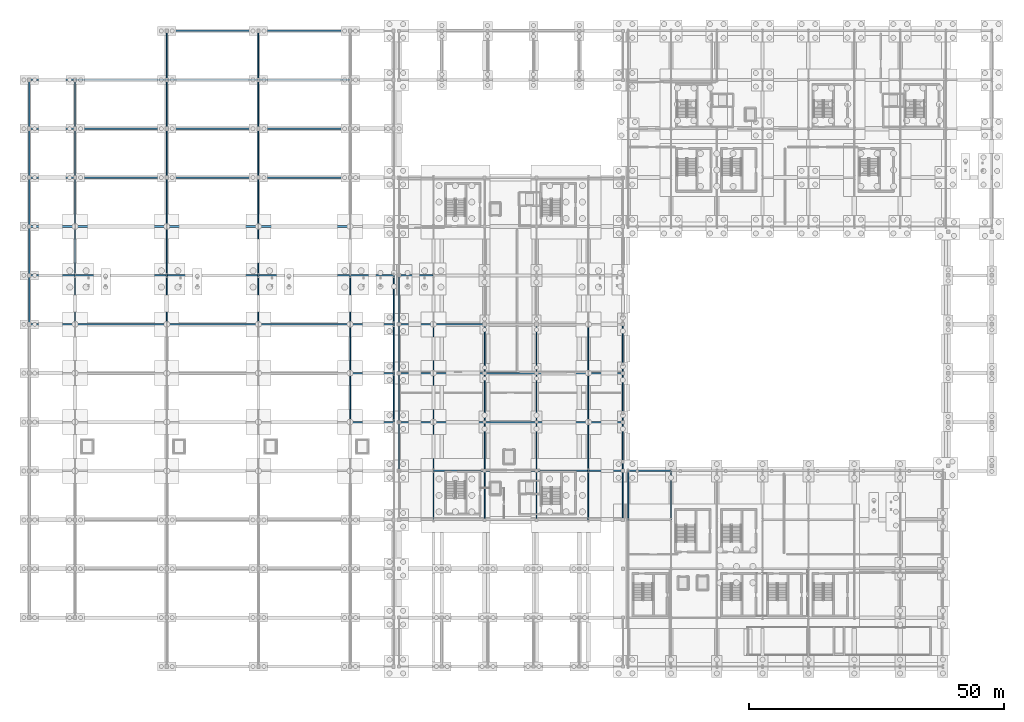
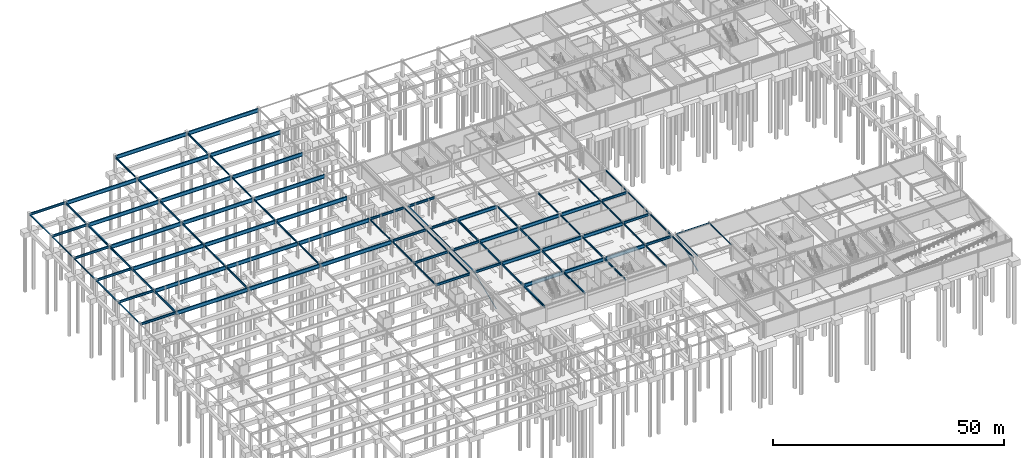
# One storey, part 31 of 59: 101 beams, 2 members.
"""IFC4 building model written with IfcOpenShell, lengths in metres."""

from ifc_helpers import new_model, si_unit, direction, frame, origin, origin_2d, place, context, subcontext, project, spatial, hollow_rectangle, hollow_circle, i_section, extrude, material, material_profile, profile_set, type_object, element, save


model = new_model("IFC4")

# Units and contexts
model_context = context("Model", 3, precision=1e-05, world=origin(), true_north=direction((0.0, 1.0)))
body_context = subcontext(model_context, "Body", "Model", "MODEL_VIEW")
ifc_project = project(units=[si_unit("LENGTHUNIT", "METRE"), si_unit("AREAUNIT", "SQUARE_METRE"), si_unit("VOLUMEUNIT", "CUBIC_METRE"), si_unit("PLANEANGLEUNIT", "RADIAN"), si_unit("MASSUNIT", "GRAM", prefix="KILO")], contexts=[model_context])

# Site, building, storey
site_placement = place(None, origin())
site = spatial("IfcSite", under=ifc_project, at=site_placement, CompositionType="ELEMENT")
building_placement = place(site_placement, origin())
building = spatial("IfcBuilding", under=site, at=building_placement, Name="Myrtia Square Station", CompositionType="ELEMENT")
storey_placement = place(building_placement, frame((0.0, 0.0, -4.5)))
storey = spatial("IfcBuildingStorey", under=building, at=storey_placement, Name="B01", CompositionType="ELEMENT", Elevation=-4.5)

# Beams
ifc_material = material(Name="Steel S355", Category="steel")
ifc_material_profile_1 = material_profile(ifc_material, i_section(OverallWidth=0.300048828125, OverallDepth=0.60009765625, WebThickness=0.015380859375, FlangeThickness=0.030029296875, FilletRadius=0.027099609375, at=origin_2d()), Name="HEB 600")
ifc_profile_set_1 = profile_set([ifc_material_profile_1], Name="Steel S355")
beam_type_1 = type_object("IfcBeamType", Name="BM-HEB600", PredefinedType="BEAM", material=ifc_profile_set_1)
for number, where, z_axis, x_axis, name in (
    (1, (63.050048828125, 48.0, 3.89990234375), (1.0, 0.0, 0.0), (0.0, 1.0, 0.0), "Structural girder BMX-B01-0010"),
    (2, (63.050048828125, 57.60009765625, 3.89990234375), (1.0, 0.0, 0.0), (0.0, 1.0, 0.0), "Structural girder BMX-B01-0012"),
):
    element("IfcBeam", number, at=place(storey_placement, frame(where, z_axis=z_axis, x_axis=x_axis)), inside=storey, type_object=beam_type_1, Name=name, PredefinedType="BEAM", context=body_context, shape_type="SweptSolid", body=[
        extrude(i_section(OverallWidth=0.300048828125, OverallDepth=0.60009765625, WebThickness=0.015380859375, FlangeThickness=0.030029296875, FilletRadius=0.027099609375, at=origin_2d()), origin(), (0.0, 0.0, 1.0), 8.449951171875),
    ])
beam_1_placement = place(storey_placement, frame((0.050048828125, 67.199951171875, 3.89990234375), z_axis=(1.0, 0.0, 0.0), x_axis=(0.0, 1.0, 0.0)))
element("IfcBeam", 3, at=beam_1_placement, inside=storey, type_object=beam_type_1, Name="Structural girder BMX-B01-0013", PredefinedType="BEAM", context=body_context, shape_type="SweptSolid", body=[
    extrude(i_section(OverallWidth=0.300048828125, OverallDepth=0.60009765625, WebThickness=0.015380859375, FlangeThickness=0.030029296875, FilletRadius=0.027099609375, at=origin_2d()), origin(), (0.0, 0.0, 1.0), 8.89990234375),
])
beam_2_placement = place(storey_placement, frame((63.050048828125, 67.199951171875, 3.89990234375), z_axis=(1.0, 0.0, 0.0), x_axis=(0.0, 1.0, 0.0)))
element("IfcBeam", 4, at=beam_2_placement, inside=storey, type_object=beam_type_1, Name="Structural girder BMX-B01-0014", PredefinedType="BEAM", context=body_context, shape_type="SweptSolid", body=[
    extrude(i_section(OverallWidth=0.300048828125, OverallDepth=0.60009765625, WebThickness=0.015380859375, FlangeThickness=0.030029296875, FilletRadius=0.027099609375, at=origin_2d()), origin(), (0.0, 0.0, 1.0), 8.449951171875),
])
beam_3_placement = place(storey_placement, frame((0.050048828125, 76.800048828125, 3.89990234375), z_axis=(1.0, 0.0, 0.0), x_axis=(0.0, 1.0, 0.0)))
element("IfcBeam", 5, at=beam_3_placement, inside=storey, type_object=beam_type_1, Name="Structural girder BMX-B01-0015", PredefinedType="BEAM", context=body_context, shape_type="SweptSolid", body=[
    extrude(i_section(OverallWidth=0.300048828125, OverallDepth=0.60009765625, WebThickness=0.015380859375, FlangeThickness=0.030029296875, FilletRadius=0.027099609375, at=origin_2d()), origin(), (0.0, 0.0, 1.0), 8.89990234375),
])
beam_4_placement = place(storey_placement, frame((63.050048828125, 76.800048828125, 3.89990234375), z_axis=(1.0, 0.0, 0.0), x_axis=(0.0, 1.0, 0.0)))
element("IfcBeam", 6, at=beam_4_placement, inside=storey, type_object=beam_type_1, Name="Structural girder BMX-B01-0016", PredefinedType="BEAM", context=body_context, shape_type="SweptSolid", body=[
    extrude(i_section(OverallWidth=0.300048828125, OverallDepth=0.60009765625, WebThickness=0.015380859375, FlangeThickness=0.030029296875, FilletRadius=0.027099609375, at=origin_2d()), origin(), (0.0, 0.0, 1.0), 8.449951171875),
])
for number, where, z_axis, x_axis, name in (
    (7, (0.050048828125, 86.39990234375, 3.89990234375), (1.0, 0.0, 0.0), (0.0, 1.0, 0.0), "Structural girder BMX-B01-0017"),
    (8, (0.050048828125, 96.0, 3.89990234375), (1.0, 0.0, 0.0), (0.0, 1.0, 0.0), "Structural girder BMX-B01-0019"),
    (9, (0.050048828125, 105.60009765625, 3.89990234375), (1.0, 0.0, 0.0), (0.0, 1.0, 0.0), "Structural girder BMX-B01-0021"),
    (10, (0.050048828125, 115.199951171875, 3.89990234375), (1.0, 0.0, 0.0), (0.0, 1.0, 0.0), "Structural girder BMX-B01-0023"),
):
    element("IfcBeam", number, at=place(storey_placement, frame(where, z_axis=z_axis, x_axis=x_axis)), inside=storey, type_object=beam_type_1, Name=name, PredefinedType="BEAM", context=body_context, shape_type="SweptSolid", body=[
        extrude(i_section(OverallWidth=0.300048828125, OverallDepth=0.60009765625, WebThickness=0.015380859375, FlangeThickness=0.030029296875, FilletRadius=0.027099609375, at=origin_2d()), origin(), (0.0, 0.0, 1.0), 8.89990234375),
    ])
beam_5_placement = place(storey_placement, frame((109.85009765625, 38.39990234375, 3.919921875), z_axis=(1.0, 0.0, 0.0), x_axis=(0.0, 1.0, 0.0)))
element("IfcBeam", 11, at=beam_5_placement, inside=storey, type_object=beam_type_1, Name="Structural girder BMX-B01-0089", PredefinedType="BEAM", context=body_context, shape_type="SweptSolid", body=[
    extrude(i_section(OverallWidth=0.300048828125, OverallDepth=0.60009765625, WebThickness=0.015380859375, FlangeThickness=0.030029296875, FilletRadius=0.027099609375, at=origin_2d()), origin(), (0.0, 0.0, 1.0), 6.64990234375),
])
beam_6_placement = place(storey_placement, frame((72.64990234375, 48.0, 3.919921875), z_axis=(1.0, 0.0, 0.0), x_axis=(0.0, 1.0, 0.0)))
element("IfcBeam", 12, at=beam_6_placement, inside=storey, type_object=beam_type_1, Name="Structural girder BMX-B01-0090", PredefinedType="BEAM", context=body_context, shape_type="SweptSolid", body=[
    extrude(i_section(OverallWidth=0.300048828125, OverallDepth=0.60009765625, WebThickness=0.015380859375, FlangeThickness=0.030029296875, FilletRadius=0.027099609375, at=origin_2d()), origin(), (0.0, 0.0, 1.0), 6.650146484375),
])
beam_7_placement = place(storey_placement, frame((109.85009765625, 48.0, 3.919921875), z_axis=(1.0, 0.0, 0.0), x_axis=(0.0, 1.0, 0.0)))
element("IfcBeam", 13, at=beam_7_placement, inside=storey, type_object=beam_type_1, Name="Structural girder BMX-B01-0091", PredefinedType="BEAM", context=body_context, shape_type="SweptSolid", body=[
    extrude(i_section(OverallWidth=0.300048828125, OverallDepth=0.60009765625, WebThickness=0.015380859375, FlangeThickness=0.030029296875, FilletRadius=0.027099609375, at=origin_2d()), origin(), (0.0, 0.0, 1.0), 6.64990234375),
])
beam_8_placement = place(storey_placement, frame((72.64990234375, 57.60009765625, 3.919921875), z_axis=(1.0, 0.0, 0.0), x_axis=(0.0, 1.0, 0.0)))
element("IfcBeam", 14, at=beam_8_placement, inside=storey, type_object=beam_type_1, Name="Structural girder BMX-B01-0092", PredefinedType="BEAM", context=body_context, shape_type="SweptSolid", body=[
    extrude(i_section(OverallWidth=0.300048828125, OverallDepth=0.60009765625, WebThickness=0.015380859375, FlangeThickness=0.030029296875, FilletRadius=0.027099609375, at=origin_2d()), origin(), (0.0, 0.0, 1.0), 6.650146484375),
])
beam_9_placement = place(storey_placement, frame((109.85009765625, 57.60009765625, 3.919921875), z_axis=(1.0, 0.0, 0.0), x_axis=(0.0, 1.0, 0.0)))
element("IfcBeam", 15, at=beam_9_placement, inside=storey, type_object=beam_type_1, Name="Structural girder BMX-B01-0093", PredefinedType="BEAM", context=body_context, shape_type="SweptSolid", body=[
    extrude(i_section(OverallWidth=0.300048828125, OverallDepth=0.60009765625, WebThickness=0.015380859375, FlangeThickness=0.030029296875, FilletRadius=0.027099609375, at=origin_2d()), origin(), (0.0, 0.0, 1.0), 6.64990234375),
])
for number, where, z_axis, x_axis, name in (
    (16, (72.64990234375, 67.199951171875, 3.919921875), (1.0, 0.0, 0.0), (0.0, 1.0, 0.0), "Structural girder BMX-B01-0094"),
    (17, (72.64990234375, 76.800048828125, 3.919921875), (1.0, 0.0, 0.0), (0.0, 1.0, 0.0), "Structural girder BMX-B01-0096"),
):
    element("IfcBeam", number, at=place(storey_placement, frame(where, z_axis=z_axis, x_axis=x_axis)), inside=storey, type_object=beam_type_1, Name=name, PredefinedType="BEAM", context=body_context, shape_type="SweptSolid", body=[
        extrude(i_section(OverallWidth=0.300048828125, OverallDepth=0.60009765625, WebThickness=0.015380859375, FlangeThickness=0.030029296875, FilletRadius=0.027099609375, at=origin_2d()), origin(), (0.0, 0.0, 1.0), 6.650146484375),
    ])
ifc_material_profile_2 = material_profile(ifc_material, i_section(OverallWidth=0.14990234375, OverallDepth=0.300048828125, WebThickness=0.007080078125, FlangeThickness=0.0107421875, FilletRadius=0.014892578125, at=origin_2d()), Name="IPE 300")
ifc_profile_set_2 = profile_set([ifc_material_profile_2], Name="Steel S355")
beam_type_2 = type_object("IfcBeamType", Name="BM-IPE300", PredefinedType="BEAM", material=ifc_profile_set_2)
beam_10_placement = place(storey_placement, frame((126.0, 28.85009765625, 4.080078125), z_axis=(0.0, 1.0, 0.0), x_axis=(-1.0, 0.0, 0.0)))
element("IfcBeam", 18, at=beam_10_placement, inside=storey, type_object=beam_type_2, Name="Structural girder BMY-B01-0170", PredefinedType="BEAM", context=body_context, shape_type="SweptSolid", body=[
    extrude(i_section(OverallWidth=0.14990234375, OverallDepth=0.300048828125, WebThickness=0.007080078125, FlangeThickness=0.0107421875, FilletRadius=0.014892578125, at=origin_2d()), origin(), (0.0, 0.0, 1.0), 9.5),
])
ifc_material_profile_3 = material_profile(ifc_material, i_section(OverallWidth=0.159912109375, OverallDepth=0.330078125, WebThickness=0.007568359375, FlangeThickness=0.011474609375, FilletRadius=0.01806640625, at=origin_2d()), Name="IPE 330")
ifc_profile_set_3 = profile_set([ifc_material_profile_3], Name="Steel S355")
beam_type_3 = type_object("IfcBeamType", Name="BM-IPE330", PredefinedType="BEAM", material=ifc_profile_set_3)
beam_11_placement = place(storey_placement, frame((117.60009765625, 28.85009765625, 4.06494140625), z_axis=(0.0, 1.0, 0.0), x_axis=(-1.0, 0.0, 0.0)))
element("IfcBeam", 19, at=beam_11_placement, inside=storey, type_object=beam_type_3, Name="Structural girder BMY-B01-0166", PredefinedType="BEAM", context=body_context, shape_type="SweptSolid", body=[
    extrude(i_section(OverallWidth=0.159912109375, OverallDepth=0.330078125, WebThickness=0.007568359375, FlangeThickness=0.011474609375, FilletRadius=0.01806640625, at=origin_2d()), origin(), (0.0, 0.0, 1.0), 9.5),
])
ifc_material_profile_4 = material_profile(ifc_material, i_section(OverallWidth=0.169921875, OverallDepth=0.360107421875, WebThickness=0.008056640625, FlangeThickness=0.0126953125, FilletRadius=0.01806640625, at=origin_2d()), Name="IPE 360")
ifc_profile_set_4 = profile_set([ifc_material_profile_4], Name="Steel S355")
beam_type_4 = type_object("IfcBeamType", Name="BM-IPE360", PredefinedType="BEAM", material=ifc_profile_set_4)
for number, where, z_axis, x_axis, name in (
    (20, (71.550048828125, 48.050048828125, 4.02001953125), (0.0, 1.0, 0.0), (-1.0, 0.0, 0.0), "Structural girder BMY-B01-0080"),
    (21, (71.550048828125, 57.64990234375, 4.02001953125), (0.0, 1.0, 0.0), (-1.0, 0.0, 0.0), "Structural girder BMY-B01-0081"),
    (22, (71.550048828125, 67.25, 4.02001953125), (0.0, 1.0, 0.0), (-1.0, 0.0, 0.0), "Structural girder BMY-B01-0082"),
    (23, (116.550048828125, 28.85009765625, 4.0400390625), (0.0, 1.0, 0.0), (-1.0, 0.0, 0.0), "Structural girder BMY-B01-0128"),
    (24, (116.550048828125, 38.449951171875, 4.0400390625), (0.0, 1.0, 0.0), (-1.0, 0.0, 0.0), "Structural girder BMY-B01-0129"),
    (25, (116.550048828125, 48.050048828125, 4.0400390625), (0.0, 1.0, 0.0), (-1.0, 0.0, 0.0), "Structural girder BMY-B01-0130"),
    (26, (116.550048828125, 57.64990234375, 4.0400390625), (0.0, 1.0, 0.0), (-1.0, 0.0, 0.0), "Structural girder BMY-B01-0131"),
):
    element("IfcBeam", number, at=place(storey_placement, frame(where, z_axis=z_axis, x_axis=x_axis)), inside=storey, type_object=beam_type_4, Name=name, PredefinedType="BEAM", context=body_context, shape_type="SweptSolid", body=[
        extrude(i_section(OverallWidth=0.169921875, OverallDepth=0.360107421875, WebThickness=0.008056640625, FlangeThickness=0.0126953125, FilletRadius=0.01806640625, at=origin_2d()), origin(), (0.0, 0.0, 1.0), 9.5),
    ])
ifc_material_profile_5 = material_profile(ifc_material, i_section(OverallWidth=0.179931640625, OverallDepth=0.39990234375, WebThickness=0.008544921875, FlangeThickness=0.013427734375, FilletRadius=0.02099609375, at=origin_2d()), Name="IPE 400")
ifc_profile_set_5 = profile_set([ifc_material_profile_5], Name="Steel S355")
beam_type_5 = type_object("IfcBeamType", Name="BM-IPE400", PredefinedType="BEAM", material=ifc_profile_set_5)
for number, where, z_axis, x_axis, name in (
    (27, (63.0, 48.050048828125, 4.0), (0.0, 1.0, 0.0), (-1.0, 0.0, 0.0), "Structural girder BMY-B01-0067"),
    (28, (63.0, 57.64990234375, 4.0), (0.0, 1.0, 0.0), (-1.0, 0.0, 0.0), "Structural girder BMY-B01-0068"),
    (29, (63.0, 67.25, 4.0), (0.0, 1.0, 0.0), (-1.0, 0.0, 0.0), "Structural girder BMY-B01-0069"),
    (30, (109.800048828125, 28.85009765625, 4.02001953125), (0.0, 1.0, 0.0), (-1.0, 0.0, 0.0), "Structural girder BMY-B01-0121"),
    (31, (109.800048828125, 38.449951171875, 4.02001953125), (0.0, 1.0, 0.0), (-1.0, 0.0, 0.0), "Structural girder BMY-B01-0122"),
    (32, (109.800048828125, 48.050048828125, 4.02001953125), (0.0, 1.0, 0.0), (-1.0, 0.0, 0.0), "Structural girder BMY-B01-0123"),
    (33, (109.800048828125, 57.64990234375, 4.02001953125), (0.0, 1.0, 0.0), (-1.0, 0.0, 0.0), "Structural girder BMY-B01-0124"),
):
    element("IfcBeam", number, at=place(storey_placement, frame(where, z_axis=z_axis, x_axis=x_axis)), inside=storey, type_object=beam_type_5, Name=name, PredefinedType="BEAM", context=body_context, shape_type="SweptSolid", body=[
        extrude(i_section(OverallWidth=0.179931640625, OverallDepth=0.39990234375, WebThickness=0.008544921875, FlangeThickness=0.013427734375, FilletRadius=0.02099609375, at=origin_2d()), origin(), (0.0, 0.0, 1.0), 9.5),
    ])
ifc_material_profile_6 = material_profile(ifc_material, i_section(OverallWidth=0.18994140625, OverallDepth=0.449951171875, WebThickness=0.009521484375, FlangeThickness=0.0146484375, FilletRadius=0.02099609375, at=origin_2d()), Name="IPE 450")
ifc_profile_set_6 = profile_set([ifc_material_profile_6], Name="Steel S355")
beam_type_6 = type_object("IfcBeamType", Name="BM-IPE450", PredefinedType="BEAM", material=ifc_profile_set_6)
for number, where, z_axis, x_axis, name in (
    (34, (45.0, 67.25, 3.97509765625), (0.0, 1.0, 0.0), (-1.0, 0.0, 0.0), "Structural girder BMY-B01-0056"),
    (35, (45.0, 76.85009765625, 3.97509765625), (0.0, 1.0, 0.0), (-1.0, 0.0, 0.0), "Structural girder BMY-B01-0057"),
    (36, (45.0, 86.449951171875, 3.97509765625), (0.0, 1.0, 0.0), (-1.0, 0.0, 0.0), "Structural girder BMY-B01-0058"),
    (37, (45.0, 96.050048828125, 3.97509765625), (0.0, 1.0, 0.0), (-1.0, 0.0, 0.0), "Structural girder BMY-B01-0059"),
    (38, (45.0, 105.64990234375, 3.97509765625), (0.0, 1.0, 0.0), (-1.0, 0.0, 0.0), "Structural girder BMY-B01-0060"),
    (39, (45.0, 115.25, 3.97509765625), (0.0, 1.0, 0.0), (-1.0, 0.0, 0.0), "Structural girder BMY-B01-0061"),
    (40, (99.60009765625, 28.85009765625, 3.9951171875), (0.0, 1.0, 0.0), (-1.0, 0.0, 0.0), "Structural girder BMY-B01-0114"),
    (41, (99.60009765625, 38.449951171875, 3.9951171875), (0.0, 1.0, 0.0), (-1.0, 0.0, 0.0), "Structural girder BMY-B01-0115"),
    (42, (99.60009765625, 48.050048828125, 3.9951171875), (0.0, 1.0, 0.0), (-1.0, 0.0, 0.0), "Structural girder BMY-B01-0116"),
    (43, (99.60009765625, 57.64990234375, 3.9951171875), (0.0, 1.0, 0.0), (-1.0, 0.0, 0.0), "Structural girder BMY-B01-0117"),
):
    element("IfcBeam", number, at=place(storey_placement, frame(where, z_axis=z_axis, x_axis=x_axis)), inside=storey, type_object=beam_type_6, Name=name, PredefinedType="BEAM", context=body_context, shape_type="SweptSolid", body=[
        extrude(i_section(OverallWidth=0.18994140625, OverallDepth=0.449951171875, WebThickness=0.009521484375, FlangeThickness=0.0146484375, FilletRadius=0.02099609375, at=origin_2d()), origin(), (0.0, 0.0, 1.0), 9.5),
    ])
ifc_material_profile_7 = material_profile(ifc_material, i_section(OverallWidth=0.199951171875, OverallDepth=0.5, WebThickness=0.01025390625, FlangeThickness=0.01611328125, FilletRadius=0.02099609375, at=origin_2d()), Name="IPE 500")
ifc_profile_set_7 = profile_set([ifc_material_profile_7], Name="Steel S355")
beam_type_7 = type_object("IfcBeamType", Name="BM-IPE500", PredefinedType="BEAM", material=ifc_profile_set_7)
for number, where, z_axis, x_axis, name in (
    (44, (27.0, 67.25, 3.949951171875), (0.0, 1.0, 0.0), (-1.0, 0.0, 0.0), "Structural girder BMY-B01-0043"),
    (45, (27.0, 76.85009765625, 3.949951171875), (0.0, 1.0, 0.0), (-1.0, 0.0, 0.0), "Structural girder BMY-B01-0044"),
    (46, (27.0, 86.449951171875, 3.949951171875), (0.0, 1.0, 0.0), (-1.0, 0.0, 0.0), "Structural girder BMY-B01-0045"),
    (47, (27.0, 96.050048828125, 3.949951171875), (0.0, 1.0, 0.0), (-1.0, 0.0, 0.0), "Structural girder BMY-B01-0046"),
    (48, (27.0, 105.64990234375, 3.949951171875), (0.0, 1.0, 0.0), (-1.0, 0.0, 0.0), "Structural girder BMY-B01-0047"),
    (49, (27.0, 115.25, 3.949951171875), (0.0, 1.0, 0.0), (-1.0, 0.0, 0.0), "Structural girder BMY-B01-0048"),
    (50, (89.39990234375, 28.85009765625, 3.969970703125), (0.0, 1.0, 0.0), (-1.0, 0.0, 0.0), "Structural girder BMY-B01-0107"),
    (51, (89.39990234375, 38.449951171875, 3.969970703125), (0.0, 1.0, 0.0), (-1.0, 0.0, 0.0), "Structural girder BMY-B01-0108"),
    (52, (89.39990234375, 48.050048828125, 3.969970703125), (0.0, 1.0, 0.0), (-1.0, 0.0, 0.0), "Structural girder BMY-B01-0109"),
    (53, (89.39990234375, 57.64990234375, 3.969970703125), (0.0, 1.0, 0.0), (-1.0, 0.0, 0.0), "Structural girder BMY-B01-0110"),
):
    element("IfcBeam", number, at=place(storey_placement, frame(where, z_axis=z_axis, x_axis=x_axis)), inside=storey, type_object=beam_type_7, Name=name, PredefinedType="BEAM", context=body_context, shape_type="SweptSolid", body=[
        extrude(i_section(OverallWidth=0.199951171875, OverallDepth=0.5, WebThickness=0.01025390625, FlangeThickness=0.01611328125, FilletRadius=0.02099609375, at=origin_2d()), origin(), (0.0, 0.0, 1.0), 9.5),
    ])
ifc_material_profile_8 = material_profile(ifc_material, i_section(OverallWidth=0.2099609375, OverallDepth=0.550048828125, WebThickness=0.010986328125, FlangeThickness=0.01708984375, FilletRadius=0.02392578125, at=origin_2d()), Name="IPE 550")
ifc_profile_set_8 = profile_set([ifc_material_profile_8], Name="Steel S355")
beam_type_8 = type_object("IfcBeamType", Name="BM-IPE550", PredefinedType="BEAM", material=ifc_profile_set_8)
for number, where, z_axis, x_axis, name in (
    (54, (9.0, 67.25, 3.925048828125), (0.0, 1.0, 0.0), (-1.0, 0.0, 0.0), "Structural girder BMY-B01-0031"),
    (55, (9.0, 76.85009765625, 3.925048828125), (0.0, 1.0, 0.0), (-1.0, 0.0, 0.0), "Structural girder BMY-B01-0032"),
    (56, (9.0, 86.449951171875, 3.925048828125), (0.0, 1.0, 0.0), (-1.0, 0.0, 0.0), "Structural girder BMY-B01-0033"),
    (57, (9.0, 96.050048828125, 3.925048828125), (0.0, 1.0, 0.0), (-1.0, 0.0, 0.0), "Structural girder BMY-B01-0034"),
    (58, (9.0, 105.64990234375, 3.925048828125), (0.0, 1.0, 0.0), (-1.0, 0.0, 0.0), "Structural girder BMY-B01-0035"),
    (59, (79.35009765625, 28.85009765625, 3.945068359375), (0.0, 1.0, 0.0), (-1.0, 0.0, 0.0), "Structural girder BMY-B01-0100"),
    (60, (79.35009765625, 38.449951171875, 3.945068359375), (0.0, 1.0, 0.0), (-1.0, 0.0, 0.0), "Structural girder BMY-B01-0101"),
    (61, (79.35009765625, 48.050048828125, 3.945068359375), (0.0, 1.0, 0.0), (-1.0, 0.0, 0.0), "Structural girder BMY-B01-0102"),
    (62, (79.35009765625, 57.64990234375, 3.945068359375), (0.0, 1.0, 0.0), (-1.0, 0.0, 0.0), "Structural girder BMY-B01-0103"),
):
    element("IfcBeam", number, at=place(storey_placement, frame(where, z_axis=z_axis, x_axis=x_axis)), inside=storey, type_object=beam_type_8, Name=name, PredefinedType="BEAM", context=body_context, shape_type="SweptSolid", body=[
        extrude(i_section(OverallWidth=0.2099609375, OverallDepth=0.550048828125, WebThickness=0.010986328125, FlangeThickness=0.01708984375, FilletRadius=0.02392578125, at=origin_2d()), origin(), (0.0, 0.0, 1.0), 9.5),
    ])

# Members
ifc_material_profile_9 = material_profile(ifc_material, hollow_circle(Radius=0.06982421875, WallThickness=0.008056640625, at=origin_2d()), Name="CHS 139.7x8")
ifc_profile_set_9 = profile_set([ifc_material_profile_9], Name="Steel S355")
member_type_1 = type_object("IfcMemberType", Name="BRC-CHS139", PredefinedType="BRACE", material=ifc_profile_set_9)
member_1_placement = place(storey_placement, frame((72.60009765625, 38.39990234375, 0.10009765625), z_axis=(0.0, 0.924780834948, 0.380500206719), x_axis=(-1.0, 0.0, 0.0)))
element("IfcMember", 63, at=member_1_placement, inside=storey, type_object=member_type_1, Name="Seismic concentrically braced frame BF-B01-05", PredefinedType="BRACE", context=body_context, shape_type="SweptSolid", body=[
    extrude(hollow_circle(Radius=0.06982421875, WallThickness=0.008056640625, at=origin_2d()), origin(), (0.0, 0.0, 1.0), 10.380859375),
])
ifc_material_profile_10 = material_profile(ifc_material, hollow_rectangle(XDim=0.199951171875, YDim=0.199951171875, WallThickness=0.012451171875, InnerFilletRadius=0.012451171875, OuterFilletRadius=0.02490234375, at=origin_2d()), Name="SHS 200x200x12.5")
ifc_profile_set_10 = profile_set([ifc_material_profile_10], Name="Steel S355")
member_type_2 = type_object("IfcMemberType", Name="BRC-SHS200", PredefinedType="BRACE", material=ifc_profile_set_10)
member_2_placement = place(storey_placement, frame((117.60009765625, 28.800048828125, 0.10009765625), z_axis=(0.0, 0.924777429869, 0.380508482436), x_axis=(-1.0, 0.0, 0.0)))
element("IfcMember", 64, at=member_2_placement, inside=storey, type_object=member_type_2, Name="Seismic concentrically braced frame BF-B01-02", PredefinedType="BRACE", context=body_context, shape_type="SweptSolid", body=[
    extrude(hollow_rectangle(XDim=0.199951171875, YDim=0.199951171875, WallThickness=0.012451171875, InnerFilletRadius=0.012451171875, OuterFilletRadius=0.02490234375, at=origin_2d()), origin(), (0.0, 0.0, 1.0), 10.380615234375),
])

# Beams
ifc_material_profile_11 = material_profile(ifc_material, i_section(OverallWidth=0.239990234375, OverallDepth=0.239990234375, WebThickness=0.010009765625, FlangeThickness=0.01708984375, FilletRadius=0.02099609375, at=origin_2d()), Name="HEB 240")
ifc_profile_set_11 = profile_set([ifc_material_profile_11], Name="Steel S355")
beam_type_9 = type_object("IfcBeamType", Name="SPN-HEB240", PredefinedType="SPANDREL", material=ifc_profile_set_11)
for number, where, z_axis, x_axis, name in (
    (65, (0.0, 67.25, 4.080078125), (0.0, 1.0, 0.0), (-1.0, 0.0, 0.0), "Structural girder SPNY-B01-0009"),
    (66, (0.0, 76.85009765625, 4.080078125), (0.0, 1.0, 0.0), (-1.0, 0.0, 0.0), "Structural girder SPNY-B01-0010"),
    (67, (0.0, 86.449951171875, 4.080078125), (0.0, 1.0, 0.0), (-1.0, 0.0, 0.0), "Structural girder SPNY-B01-0011"),
    (68, (0.0, 96.050048828125, 4.080078125), (0.0, 1.0, 0.0), (-1.0, 0.0, 0.0), "Structural girder SPNY-B01-0012"),
    (69, (0.0, 105.64990234375, 4.080078125), (0.0, 1.0, 0.0), (-1.0, 0.0, 0.0), "Structural girder SPNY-B01-0013"),
    (70, (72.60009765625, 48.050048828125, 4.10009765625), (0.0, 1.0, 0.0), (-1.0, 0.0, 0.0), "Structural girder SPNY-B01-0020"),
    (71, (72.60009765625, 57.64990234375, 4.10009765625), (0.0, 1.0, 0.0), (-1.0, 0.0, 0.0), "Structural girder SPNY-B01-0021"),
    (72, (72.60009765625, 67.25, 4.10009765625), (0.0, 1.0, 0.0), (-1.0, 0.0, 0.0), "Structural girder SPNY-B01-0022"),
):
    element("IfcBeam", number, at=place(storey_placement, frame(where, z_axis=z_axis, x_axis=x_axis)), inside=storey, type_object=beam_type_9, Name=name, PredefinedType="SPANDREL", context=body_context, shape_type="SweptSolid", body=[
        extrude(i_section(OverallWidth=0.239990234375, OverallDepth=0.239990234375, WebThickness=0.010009765625, FlangeThickness=0.01708984375, FilletRadius=0.02099609375, at=origin_2d()), origin(), (0.0, 0.0, 1.0), 9.5),
    ])
ifc_material_profile_12 = material_profile(ifc_material, i_section(OverallWidth=0.280029296875, OverallDepth=0.280029296875, WebThickness=0.010498046875, FlangeThickness=0.01806640625, FilletRadius=0.02392578125, at=origin_2d()), Name="HEB 280")
ifc_profile_set_12 = profile_set([ifc_material_profile_12], Name="Steel S355")
beam_type_10 = type_object("IfcBeamType", Name="SPN-HEB280", PredefinedType="SPANDREL", material=ifc_profile_set_12)
beam_12_placement = place(storey_placement, frame((117.64990234375, 38.39990234375, 4.090087890625), z_axis=(1.0, 0.0, 0.0), x_axis=(0.0, 1.0, 0.0)))
element("IfcBeam", 73, at=beam_12_placement, inside=storey, type_object=beam_type_10, Name="Structural girder SPN-B01-0037", PredefinedType="SPANDREL", context=body_context, shape_type="SweptSolid", body=[
    extrude(i_section(OverallWidth=0.280029296875, OverallDepth=0.280029296875, WebThickness=0.010498046875, FlangeThickness=0.01806640625, FilletRadius=0.02392578125, at=origin_2d()), origin(), (0.0, 0.0, 1.0), 8.300048828125),
])
ifc_material_profile_13 = material_profile(ifc_material, i_section(OverallWidth=0.300048828125, OverallDepth=1.0, WebThickness=0.01904296875, FlangeThickness=0.035888671875, FilletRadius=0.030029296875, at=origin_2d()), Name="HEB 1000")
ifc_profile_set_13 = profile_set([ifc_material_profile_13], Name="Steel S355")
beam_type_11 = type_object("IfcBeamType", Name="TG-HEB1000", PredefinedType="USERDEFINED", material=ifc_profile_set_13)
for number, where, z_axis, x_axis, name in (
    (74, (9.050048828125, 67.199951171875, 3.699951171875), (1.0, 0.0, 0.0), (0.0, 1.0, 0.0), "Structural girder TG-B01-0021"),
    (75, (27.050048828125, 67.199951171875, 3.699951171875), (1.0, 0.0, 0.0), (0.0, 1.0, 0.0), "Structural girder TG-B01-0022"),
    (76, (45.050048828125, 67.199951171875, 3.699951171875), (1.0, 0.0, 0.0), (0.0, 1.0, 0.0), "Structural girder TG-B01-0023"),
    (77, (9.050048828125, 76.800048828125, 3.699951171875), (1.0, 0.0, 0.0), (0.0, 1.0, 0.0), "Structural girder TG-B01-0024"),
    (78, (27.050048828125, 76.800048828125, 3.699951171875), (1.0, 0.0, 0.0), (0.0, 1.0, 0.0), "Structural girder TG-B01-0025"),
    (79, (45.050048828125, 76.800048828125, 3.699951171875), (1.0, 0.0, 0.0), (0.0, 1.0, 0.0), "Structural girder TG-B01-0026"),
    (80, (9.050048828125, 86.39990234375, 3.699951171875), (1.0, 0.0, 0.0), (0.0, 1.0, 0.0), "Structural girder TG-B01-0027"),
    (81, (27.050048828125, 86.39990234375, 3.699951171875), (1.0, 0.0, 0.0), (0.0, 1.0, 0.0), "Structural girder TG-B01-0028"),
    (82, (45.050048828125, 86.39990234375, 3.699951171875), (1.0, 0.0, 0.0), (0.0, 1.0, 0.0), "Structural girder TG-B01-0029"),
    (83, (9.050048828125, 96.0, 3.699951171875), (1.0, 0.0, 0.0), (0.0, 1.0, 0.0), "Structural girder TG-B01-0030"),
    (84, (27.050048828125, 96.0, 3.699951171875), (1.0, 0.0, 0.0), (0.0, 1.0, 0.0), "Structural girder TG-B01-0031"),
    (85, (45.050048828125, 96.0, 3.699951171875), (1.0, 0.0, 0.0), (0.0, 1.0, 0.0), "Structural girder TG-B01-0032"),
    (86, (9.050048828125, 105.60009765625, 3.699951171875), (1.0, 0.0, 0.0), (0.0, 1.0, 0.0), "Structural girder TG-B01-0033"),
    (87, (27.050048828125, 105.60009765625, 3.699951171875), (1.0, 0.0, 0.0), (0.0, 1.0, 0.0), "Structural girder TG-B01-0034"),
    (88, (45.050048828125, 105.60009765625, 3.699951171875), (1.0, 0.0, 0.0), (0.0, 1.0, 0.0), "Structural girder TG-B01-0035"),
    (89, (9.050048828125, 115.199951171875, 3.699951171875), (1.0, 0.0, 0.0), (0.0, 1.0, 0.0), "Structural girder TG-B01-0036"),
    (90, (27.050048828125, 115.199951171875, 3.699951171875), (1.0, 0.0, 0.0), (0.0, 1.0, 0.0), "Structural girder TG-B01-0037"),
    (91, (45.050048828125, 115.199951171875, 3.699951171875), (1.0, 0.0, 0.0), (0.0, 1.0, 0.0), "Structural girder TG-B01-0038"),
    (92, (27.050048828125, 124.800048828125, 3.699951171875), (1.0, 0.0, 0.0), (0.0, 1.0, 0.0), "Structural girder TG-B01-0039"),
    (93, (45.050048828125, 124.800048828125, 3.699951171875), (1.0, 0.0, 0.0), (0.0, 1.0, 0.0), "Structural girder TG-B01-0040"),
):
    element("IfcBeam", number, at=place(storey_placement, frame(where, z_axis=z_axis, x_axis=x_axis)), inside=storey, type_object=beam_type_11, Name=name, ObjectType="TRANSFER GIRDER", PredefinedType="USERDEFINED", context=body_context, shape_type="SweptSolid", body=[
        extrude(i_section(OverallWidth=0.300048828125, OverallDepth=1.0, WebThickness=0.01904296875, FlangeThickness=0.035888671875, FilletRadius=0.030029296875, at=origin_2d()), origin(), (0.0, 0.0, 1.0), 17.89990234375),
    ])
ifc_material_profile_14 = material_profile(ifc_material, i_section(OverallWidth=0.300048828125, OverallDepth=0.89990234375, WebThickness=0.0185546875, FlangeThickness=0.034912109375, FilletRadius=0.030029296875, at=origin_2d()), Name="HEB 900")
ifc_profile_set_14 = profile_set([ifc_material_profile_14], Name="Steel S355")
beam_type_12 = type_object("IfcBeamType", Name="TG-HEB900", PredefinedType="USERDEFINED", material=ifc_profile_set_14)
beam_13_placement = place(storey_placement, frame((79.39990234375, 38.39990234375, 3.77001953125), z_axis=(1.0, 0.0, 0.0), x_axis=(0.0, 1.0, 0.0)))
element("IfcBeam", 94, at=beam_13_placement, inside=storey, type_object=beam_type_12, Name="Structural girder TG-B01-0044", ObjectType="TRANSFER GIRDER", PredefinedType="USERDEFINED", context=body_context, shape_type="SweptSolid", body=[
    extrude(i_section(OverallWidth=0.300048828125, OverallDepth=0.89990234375, WebThickness=0.0185546875, FlangeThickness=0.034912109375, FilletRadius=0.030029296875, at=origin_2d()), origin(), (0.0, 0.0, 1.0), 9.9501953125),
])
for number, where, z_axis, x_axis, name in (
    (95, (89.449951171875, 38.39990234375, 3.77001953125), (1.0, 0.0, 0.0), (0.0, 1.0, 0.0), "Structural girder TG-B01-0045"),
    (96, (99.64990234375, 38.39990234375, 3.77001953125), (1.0, 0.0, 0.0), (0.0, 1.0, 0.0), "Structural girder TG-B01-0046"),
):
    element("IfcBeam", number, at=place(storey_placement, frame(where, z_axis=z_axis, x_axis=x_axis)), inside=storey, type_object=beam_type_12, Name=name, ObjectType="TRANSFER GIRDER", PredefinedType="USERDEFINED", context=body_context, shape_type="SweptSolid", body=[
        extrude(i_section(OverallWidth=0.300048828125, OverallDepth=0.89990234375, WebThickness=0.0185546875, FlangeThickness=0.034912109375, FilletRadius=0.030029296875, at=origin_2d()), origin(), (0.0, 0.0, 1.0), 10.10009765625),
    ])
beam_14_placement = place(storey_placement, frame((79.39990234375, 48.0, 3.77001953125), z_axis=(1.0, 0.0, 0.0), x_axis=(0.0, 1.0, 0.0)))
element("IfcBeam", 97, at=beam_14_placement, inside=storey, type_object=beam_type_12, Name="Structural girder TG-B01-0047", ObjectType="TRANSFER GIRDER", PredefinedType="USERDEFINED", context=body_context, shape_type="SweptSolid", body=[
    extrude(i_section(OverallWidth=0.300048828125, OverallDepth=0.89990234375, WebThickness=0.0185546875, FlangeThickness=0.034912109375, FilletRadius=0.030029296875, at=origin_2d()), origin(), (0.0, 0.0, 1.0), 9.9501953125),
])
for number, where, z_axis, x_axis, name in (
    (98, (89.449951171875, 48.0, 3.77001953125), (1.0, 0.0, 0.0), (0.0, 1.0, 0.0), "Structural girder TG-B01-0048"),
    (99, (99.64990234375, 48.0, 3.77001953125), (1.0, 0.0, 0.0), (0.0, 1.0, 0.0), "Structural girder TG-B01-0049"),
):
    element("IfcBeam", number, at=place(storey_placement, frame(where, z_axis=z_axis, x_axis=x_axis)), inside=storey, type_object=beam_type_12, Name=name, ObjectType="TRANSFER GIRDER", PredefinedType="USERDEFINED", context=body_context, shape_type="SweptSolid", body=[
        extrude(i_section(OverallWidth=0.300048828125, OverallDepth=0.89990234375, WebThickness=0.0185546875, FlangeThickness=0.034912109375, FilletRadius=0.030029296875, at=origin_2d()), origin(), (0.0, 0.0, 1.0), 10.10009765625),
    ])
beam_15_placement = place(storey_placement, frame((79.39990234375, 57.60009765625, 3.77001953125), z_axis=(1.0, 0.0, 0.0), x_axis=(0.0, 1.0, 0.0)))
element("IfcBeam", 100, at=beam_15_placement, inside=storey, type_object=beam_type_12, Name="Structural girder TG-B01-0050", ObjectType="TRANSFER GIRDER", PredefinedType="USERDEFINED", context=body_context, shape_type="SweptSolid", body=[
    extrude(i_section(OverallWidth=0.300048828125, OverallDepth=0.89990234375, WebThickness=0.0185546875, FlangeThickness=0.034912109375, FilletRadius=0.030029296875, at=origin_2d()), origin(), (0.0, 0.0, 1.0), 9.9501953125),
])
for number, where, z_axis, x_axis, name in (
    (101, (89.449951171875, 57.60009765625, 3.77001953125), (1.0, 0.0, 0.0), (0.0, 1.0, 0.0), "Structural girder TG-B01-0051"),
    (102, (99.64990234375, 57.60009765625, 3.77001953125), (1.0, 0.0, 0.0), (0.0, 1.0, 0.0), "Structural girder TG-B01-0052"),
):
    element("IfcBeam", number, at=place(storey_placement, frame(where, z_axis=z_axis, x_axis=x_axis)), inside=storey, type_object=beam_type_12, Name=name, ObjectType="TRANSFER GIRDER", PredefinedType="USERDEFINED", context=body_context, shape_type="SweptSolid", body=[
        extrude(i_section(OverallWidth=0.300048828125, OverallDepth=0.89990234375, WebThickness=0.0185546875, FlangeThickness=0.034912109375, FilletRadius=0.030029296875, at=origin_2d()), origin(), (0.0, 0.0, 1.0), 10.10009765625),
    ])
beam_16_placement = place(storey_placement, frame((79.39990234375, 67.199951171875, 3.77001953125), z_axis=(1.0, 0.0, 0.0), x_axis=(0.0, 1.0, 0.0)))
element("IfcBeam", 103, at=beam_16_placement, inside=storey, type_object=beam_type_12, Name="Structural girder TG-B01-0053", ObjectType="TRANSFER GIRDER", PredefinedType="USERDEFINED", context=body_context, shape_type="SweptSolid", body=[
    extrude(i_section(OverallWidth=0.300048828125, OverallDepth=0.89990234375, WebThickness=0.0185546875, FlangeThickness=0.034912109375, FilletRadius=0.030029296875, at=origin_2d()), origin(), (0.0, 0.0, 1.0), 9.9501953125),
])

save(model, "model.ifc")
